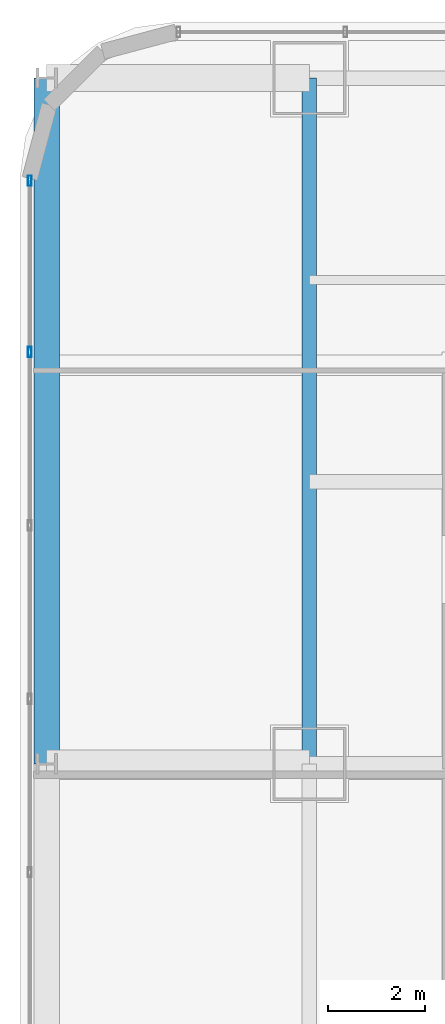
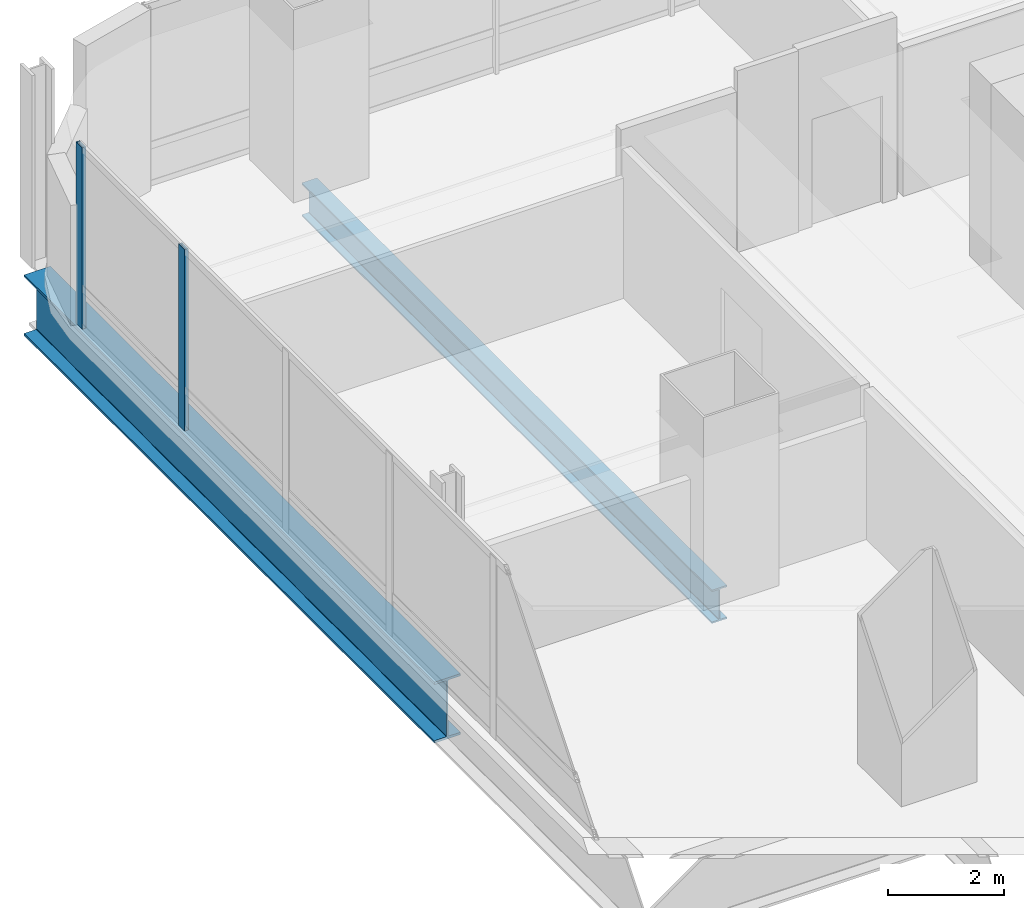
# One storey, part 17 of 37: 2 beams, 2 members, 1 element without a shape of its own.
"""IFC4 building model written with IfcOpenShell, lengths in metres."""

from ifc_helpers import new_model, si_unit, direction, frame, origin, origin_2d, place, context, subcontext, project, spatial, hollow_rectangle, i_section, extrude, material, material_profile, profile_set, type_object, element, aggregate, save


model = new_model("IFC4")

# Units and contexts
model_context = context("Model", 3, precision=1e-05, world=origin(), true_north=direction((0.0, 1.0)))
body_context = subcontext(model_context, "Body", "Model", "MODEL_VIEW")
ifc_project = project(units=[si_unit("LENGTHUNIT", "METRE"), si_unit("AREAUNIT", "SQUARE_METRE"), si_unit("VOLUMEUNIT", "CUBIC_METRE"), si_unit("PLANEANGLEUNIT", "RADIAN"), si_unit("MASSUNIT", "GRAM", prefix="KILO")], contexts=[model_context])

# Site, building, storey
site_placement = place(None, origin())
site = spatial("IfcSite", under=ifc_project, at=site_placement, CompositionType="ELEMENT")
building_placement = place(site_placement, origin())
building = spatial("IfcBuilding", under=site, at=building_placement, Name="Punatoya Terracotta Tower", CompositionType="ELEMENT")
storey_placement = place(building_placement, frame((0.0, 0.0, 44.39990234375)))
storey = spatial("IfcBuildingStorey", under=building, at=storey_placement, Name="L09", CompositionType="ELEMENT", Elevation=44.39990234375)

# Beams
ifc_material_1 = material(Name="Steel S355", Category="steel")
ifc_material_profile_1 = material_profile(ifc_material_1, i_section(OverallWidth=0.300048828125, OverallDepth=0.699951171875, WebThickness=0.01708984375, FlangeThickness=0.031982421875, FilletRadius=0.01806640625, at=origin_2d()))
ifc_profile_set_1 = profile_set([ifc_material_profile_1], Name="Steel S355")
beam_type_1 = type_object("IfcBeamType", Name="BM-PRI-700", PredefinedType="BEAM", material=ifc_profile_set_1)
beam_1_placement = place(storey_placement, frame((-19.10009765625, 3.39990234375, -0.58984375), z_axis=(0.0, 1.0, 0.0), x_axis=(-1.0, 0.0, 0.0)))
element("IfcBeam", 1, at=beam_1_placement, inside=storey, type_object=beam_type_1, Name="BM-L09-RG-W3", PredefinedType="BEAM", context=body_context, shape_type="SweptSolid", body=[
    extrude(i_section(OverallWidth=0.300048828125, OverallDepth=0.699951171875, WebThickness=0.01708984375, FlangeThickness=0.031982421875, FilletRadius=0.01806640625, at=origin_2d()), origin(), (0.0, 0.0, 1.0), 14.10009765625),
])
ifc_material_2 = material(Name="Steel S460", Category="steel")
ifc_material_profile_2 = material_profile(ifc_material_2, i_section(OverallWidth=0.52001953125, OverallDepth=1.280029296875, WebThickness=0.031982421875, FlangeThickness=0.050048828125, FilletRadius=0.01806640625, at=origin_2d()))
ifc_profile_set_2 = profile_set([ifc_material_profile_2], Name="Steel S460")
beam_type_2 = type_object("IfcBeamType", Name="BM-TG-NCK", PredefinedType="BEAM", material=ifc_profile_set_2)
beam_2_placement = place(storey_placement, frame((-24.5, 3.39990234375, -0.8798828125), z_axis=(0.0, 1.0, 0.0), x_axis=(-1.0, 0.0, 0.0)))
element("IfcBeam", 2, at=beam_2_placement, inside=storey, type_object=beam_type_2, Name="BM-L09-PER-W3", PredefinedType="BEAM", context=body_context, shape_type="SweptSolid", body=[
    extrude(i_section(OverallWidth=0.52001953125, OverallDepth=1.280029296875, WebThickness=0.031982421875, FlangeThickness=0.050048828125, FilletRadius=0.01806640625, at=origin_2d()), origin(), (0.0, 0.0, 1.0), 14.10009765625),
])

# Curtain wall, members
ifc_material_3 = material(Name="Aluminium 6063-T6 + Double Low-E Glass", Category="aluminium")
curtain_wall_type = type_object("IfcCurtainWallType", Name="CW-M1", PredefinedType="NOTDEFINED", material=ifc_material_3)
curtain_wall_placement = place(storey_placement, origin())
curtain_wall = element("IfcCurtainWall", 3, at=curtain_wall_placement, inside=storey, type_object=curtain_wall_type, Name="L09 Curtain Wall CW-L09-W13-1", PredefinedType="NOTDEFINED")
ifc_material_4 = material(Name="Aluminium 6063-T6", Category="aluminium")
ifc_material_profile_3 = material_profile(ifc_material_4, hollow_rectangle(XDim=0.074951171875, YDim=0.2099609375, WallThickness=0.00439453125, at=origin_2d()))
ifc_profile_set_3 = profile_set([ifc_material_profile_3], Name="Aluminium 6063-T6")
member_type = type_object("IfcMemberType", Name="CW-MUL-M1", PredefinedType="MULLION", material=ifc_profile_set_3)
member_1_placement = place(storey_placement, frame((-24.85009765625, 15.391845703125, 0.0), z_axis=(0.0, 0.0, 1.0), x_axis=(1.0, 0.0, 0.0)))
member_1 = element("IfcMember", 4, at=member_1_placement, type_object=member_type, Name="CW-L09-W13-1 Mullion 00", PredefinedType="MULLION", context=body_context, shape_type="SweptSolid", body=[
    extrude(hollow_rectangle(XDim=0.074951171875, YDim=0.2099609375, WallThickness=0.00439453125, at=origin_2d()), origin(), (0.0, 0.0, 1.0), 3.81005859375),
])
member_2_placement = place(storey_placement, frame((-24.85009765625, 11.869384765625, 0.0), z_axis=(0.0, 0.0, 1.0), x_axis=(1.0, 0.0, 0.0)))
member_2 = element("IfcMember", 5, at=member_2_placement, type_object=member_type, Name="CW-L09-W13-1 Mullion 01", PredefinedType="MULLION", context=body_context, shape_type="SweptSolid", body=[
    extrude(hollow_rectangle(XDim=0.074951171875, YDim=0.2099609375, WallThickness=0.00439453125, at=origin_2d()), origin(), (0.0, 0.0, 1.0), 3.81005859375),
])
aggregate(curtain_wall, [member_1, member_2])

save(model, "model.ifc")
